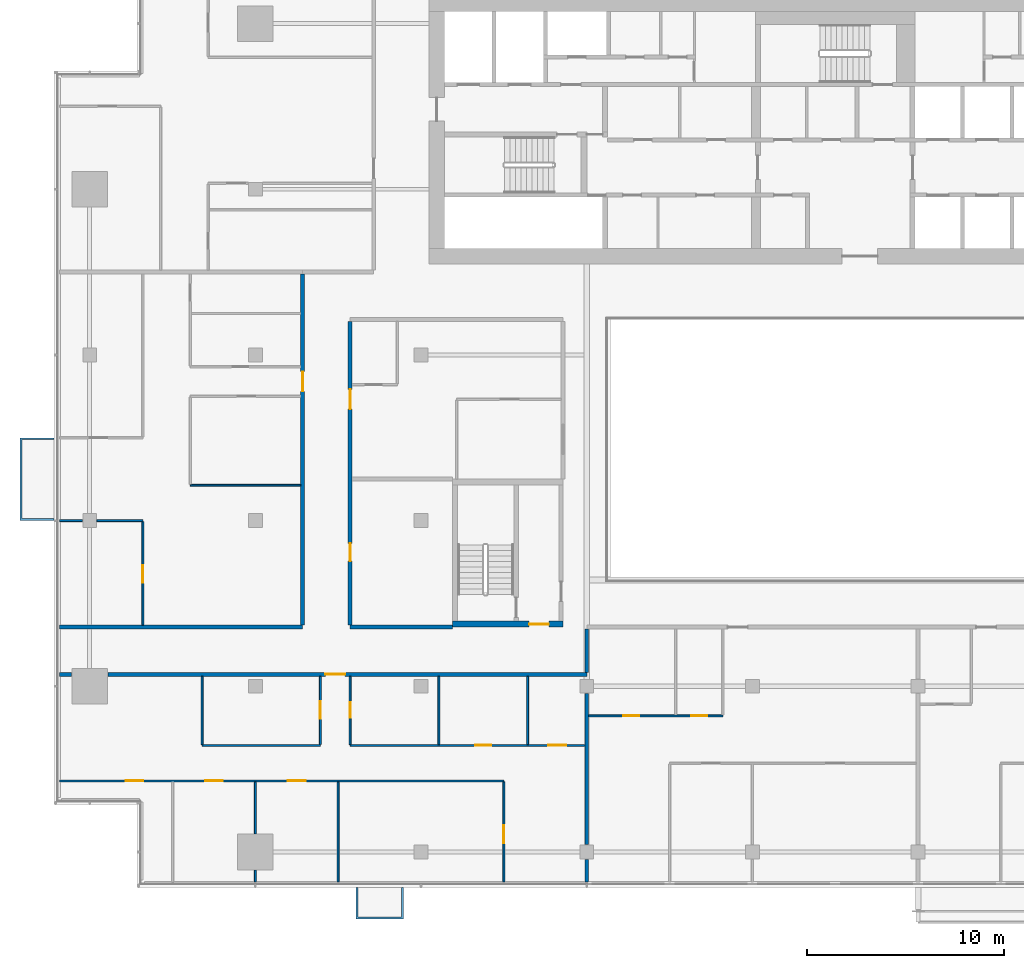
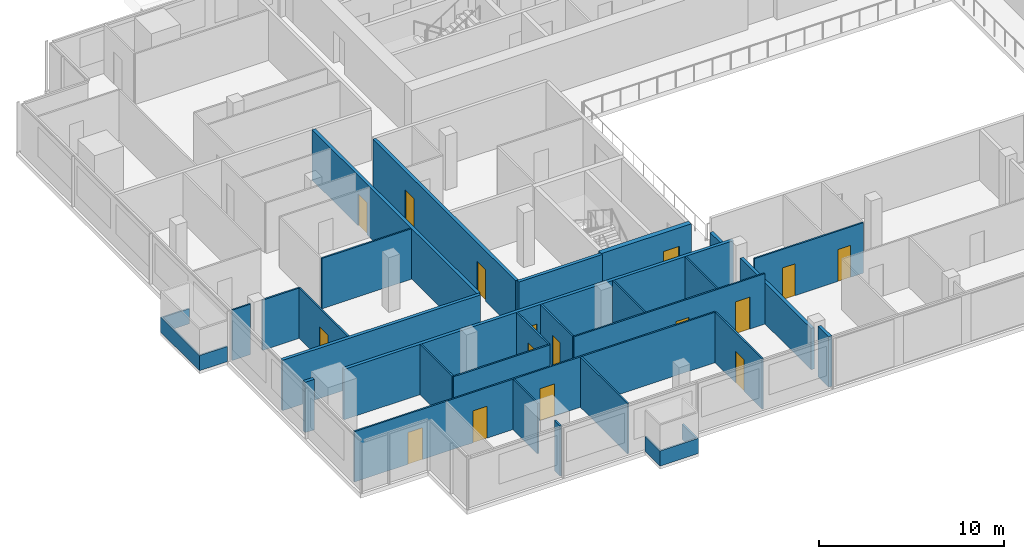
# One storey, part 17 of 28: 29 walls, 16 doors, 16 openings.
"""IFC4 building model written with IfcOpenShell, lengths in metres."""

import ifcopenshell
import ifcopenshell.guid

model = None  # the IFC model being written
_history = None  # IfcOwnerHistory: only IFC2X3 demands one
_inside = {}  # id of a spatial element -> (the spatial element, [elements in it])
_under = {}  # id of a project, library or spatial element -> (it, [spatial elements below it])
_declared = {}  # id of a project -> (the project, [libraries it declares])
_typed = {}  # id of a type object -> (the type object, [elements of that type])
_made_of = {}  # id of a material, layer set ... -> (it, [elements and type objects made of it])


def new_model(schema):
    """Start an empty IFC model of exactly this schema.

    Asked for "IFC4X3", IfcOpenShell would pick the latest addendum, in which some entities
    have other attributes; the version numbers below select the first issue.
    IFC2X3 requires an IfcOwnerHistory on every rooted entity: one is made here for all.
    """
    global model, _history
    if schema == "IFC4X3":
        model = ifcopenshell.file(schema_version=(4, 3, 0, 0))
    else:
        model = ifcopenshell.file(schema=schema)
    _inside.clear()
    _under.clear()
    _declared.clear()
    _typed.clear()
    _made_of.clear()
    _history = None
    if model.schema == "IFC2X3":
        org = make("IfcOrganization", Name="unknown")
        user = make(
            "IfcPersonAndOrganization",
            ThePerson=make("IfcPerson", FamilyName="unknown"),
            TheOrganization=org,
        )
        app = make(
            "IfcApplication",
            ApplicationDeveloper=org,
            Version="unknown",
            ApplicationFullName="unknown",
            ApplicationIdentifier="unknown",
        )
        _history = make(
            "IfcOwnerHistory",
            OwningUser=user,
            OwningApplication=app,
            ChangeAction="ADDED",
            CreationDate=0,
        )
    return model


def make(cls, **values):
    """One entity of the class cls with the attributes given. An attribute that is None is left unset."""
    return model.create_entity(
        cls, **{name: value for name, value in values.items() if value is not None}
    )


def rooted(cls, **values):
    """An entity with a GlobalId (a new one), such as an element, a storey or a relation."""
    return make(cls, GlobalId=ifcopenshell.guid.new(), OwnerHistory=_history, **values)


def si_unit(unit_type, name, prefix=None):
    """IfcSIUnit, for example si_unit("LENGTHUNIT", "METRE", prefix="MILLI")."""
    return make("IfcSIUnit", UnitType=unit_type, Prefix=prefix, Name=name)


def assignment(units):
    """IfcUnitAssignment: the units of a project."""
    return None if units is None else make("IfcUnitAssignment", Units=units)


def point(xyz):
    """IfcCartesianPoint."""
    return None if xyz is None else make("IfcCartesianPoint", Coordinates=xyz)


def direction(xyz):
    """IfcDirection."""
    return None if xyz is None else make("IfcDirection", DirectionRatios=xyz)


def frame(location, z_axis=None, x_axis=None):
    """IfcAxis2Placement3D, a coordinate frame: its origin and axes. An axis left out is left unset."""
    return make(
        "IfcAxis2Placement3D",
        Location=point(location),
        Axis=direction(z_axis),
        RefDirection=direction(x_axis),
    )


def frame_2d(location, x_axis=None):
    """IfcAxis2Placement2D, a coordinate frame in the plane: its origin and x axis."""
    return make(
        "IfcAxis2Placement2D", Location=point(location), RefDirection=direction(x_axis)
    )


def origin():
    """The frame at (0, 0, 0) with its axes left unset."""
    return frame((0.0, 0.0, 0.0))


def place(relative_to, where):
    """IfcLocalPlacement: puts the frame where relative to a parent placement (None: the world)."""
    return make(
        "IfcLocalPlacement", PlacementRelTo=relative_to, RelativePlacement=where
    )


def context(
    kind, dimensions, precision=None, world=None, true_north=None, identifier=None
):
    """IfcGeometricRepresentationContext, for example the 3D "Model" context."""
    return make(
        "IfcGeometricRepresentationContext",
        ContextIdentifier=identifier,
        ContextType=kind,
        CoordinateSpaceDimension=dimensions,
        Precision=precision,
        WorldCoordinateSystem=world,
        TrueNorth=true_north,
    )


def subcontext(parent, identifier, kind, view, scale=None):
    """IfcGeometricRepresentationSubContext, for example "Body" below "Model"."""
    return make(
        "IfcGeometricRepresentationSubContext",
        ContextIdentifier=identifier,
        ContextType=kind,
        ParentContext=parent,
        TargetScale=scale,
        TargetView=view,
    )


def project(units=None, contexts=None):
    """IfcProject with its units and contexts."""
    return rooted(
        "IfcProject",
        Name="project",
        RepresentationContexts=contexts,
        UnitsInContext=assignment(units),
    )


def spatial(cls, under=None, at=None, **own):
    """A site, building, storey or space (cls), placed at a placement, below another one or the project."""
    s = rooted(cls, ObjectPlacement=at, **own)
    if under is not None:
        _under.setdefault(under.id(), (under, []))[1].append(s)
    return s


def polyline(points):
    """IfcPolyline through the points."""
    return make("IfcPolyline", Points=[point(p) for p in points])


def profile(cls, at=None, kind="AREA", **sizes):
    """A parametric profile (cls). Its sizes go by their IFC names, for example OverallWidth=200.0."""
    return make(cls, ProfileType=kind, Position=at, **sizes)


def rectangle(**sizes):
    """IfcRectangleProfileDef."""
    return profile("IfcRectangleProfileDef", **sizes)


def outline(outer, holes=None, kind="AREA"):
    """IfcArbitraryClosedProfileDef: a profile drawn as a closed curve; with holes, ...WithVoids."""
    if holes is None:
        return make("IfcArbitraryClosedProfileDef", ProfileType=kind, OuterCurve=outer)
    return make(
        "IfcArbitraryProfileDefWithVoids",
        ProfileType=kind,
        OuterCurve=outer,
        InnerCurves=holes,
    )


def extrude(swept, where, along, depth):
    """IfcExtrudedAreaSolid: the profile swept, set in the frame where, extruded along a direction by depth."""
    return make(
        "IfcExtrudedAreaSolid",
        SweptArea=swept,
        Position=where,
        ExtrudedDirection=direction(along),
        Depth=depth,
    )


def shape(context_of_items, identifier, shape_type, items):
    """IfcShapeRepresentation: the items that make up one representation, for example the "Body"."""
    return make(
        "IfcShapeRepresentation",
        ContextOfItems=context_of_items,
        RepresentationIdentifier=identifier,
        RepresentationType=shape_type,
        Items=items,
    )


def material(Name=None, Category=None):
    """IfcMaterial."""
    return make("IfcMaterial", Name=Name, Category=Category)


def layer(
    of_material, thickness, ventilated=None, Name=None, Category=None, Priority=None
):
    """IfcMaterialLayer: one layer of a wall or slab, of a material (None: an air gap)."""
    return make(
        "IfcMaterialLayer",
        Material=of_material,
        LayerThickness=thickness,
        IsVentilated=ventilated,
        Name=Name,
        Category=Category,
        Priority=Priority,
    )


def layer_set(layers, Name=None):
    """IfcMaterialLayerSet."""
    return make("IfcMaterialLayerSet", MaterialLayers=layers, LayerSetName=Name)


def made_of(thing, what):
    """Note that an element or type object is made of a material, layer set ...; save() writes the relation."""
    if what is not None:
        _made_of.setdefault(what.id(), (what, []))[1].append(thing)
    return thing


def type_object(cls, material=None, **own):
    """A type object (cls), such as IfcWallType, which elements share."""
    return made_of(rooted(cls, **own), material)


def element(
    cls,
    number,
    at=None,
    inside=None,
    cuts=None,
    type_object=None,
    material=None,
    context=None,
    identifier="Body",
    shape_type=None,
    held_by="IfcProductDefinitionShape",
    body=None,
    shapes=None,
    **own,
):
    """One element of the class cls, such as IfcWall. Its Tag is "e" and its number.

    at: its placement. inside: the storey or other place that contains it. cuts: it is an
    opening in that element (IfcRelVoidsElement). A single representation is given by context,
    identifier, shape_type and body (its items); several are given by shapes. held_by: the class
    of the entity that holds the representations. save() writes the other relations.
    """
    e = rooted(cls, Tag="e%d" % number, ObjectPlacement=at, **own)
    if body is not None:
        shapes = [shape(context, identifier, shape_type, body)]
    if shapes is not None:
        e.Representation = make(held_by, Representations=shapes)
    if inside is not None:
        _inside.setdefault(inside.id(), (inside, []))[1].append(e)
    if cuts is not None:
        rooted(
            "IfcRelVoidsElement", RelatingBuildingElement=cuts, RelatedOpeningElement=e
        )
    if type_object is not None:
        _typed.setdefault(type_object.id(), (type_object, []))[1].append(e)
    return made_of(e, material)


def fill(opening, filler):
    """IfcRelFillsElement: the door or window that sits in an opening."""
    return rooted(
        "IfcRelFillsElement",
        RelatingOpeningElement=opening,
        RelatedBuildingElement=filler,
    )


def aggregate(whole, parts):
    """IfcRelAggregates: a whole, such as a stair, and the parts it consists of."""
    return rooted("IfcRelAggregates", RelatingObject=whole, RelatedObjects=parts)


def save(model, path):
    """Write the relations noted so far, then the file.

    IfcRelAggregates (storeys below a building ...), IfcRelContainedInSpatialStructure (elements
    in a storey), IfcRelDefinesByType, IfcRelAssociatesMaterial and IfcRelDeclares: one each for
    every whole, place, type object, material and project.
    """
    for whole, parts in _under.values():
        aggregate(whole, parts)
    for where, things in _inside.values():
        rooted(
            "IfcRelContainedInSpatialStructure",
            RelatedElements=things,
            RelatingStructure=where,
        )
    for kind, things in _typed.values():
        rooted("IfcRelDefinesByType", RelatedObjects=things, RelatingType=kind)
    for what, things in _made_of.values():
        rooted("IfcRelAssociatesMaterial", RelatedObjects=things, RelatingMaterial=what)
    for by, libraries in _declared.values():
        rooted("IfcRelDeclares", RelatingContext=by, RelatedDefinitions=libraries)
    model.write(path)


model = new_model("IFC4")

# Units and contexts
model_context = context("Model", 3, precision=1e-05, world=origin(), true_north=direction((0.0, 1.0)))
body_context = subcontext(model_context, "Body", "Model", "MODEL_VIEW")
ifc_project = project(units=[si_unit("LENGTHUNIT", "METRE"), si_unit("AREAUNIT", "SQUARE_METRE"), si_unit("VOLUMEUNIT", "CUBIC_METRE"), si_unit("PLANEANGLEUNIT", "RADIAN"), si_unit("MASSUNIT", "GRAM", prefix="KILO")], contexts=[model_context])

# Site, building, storey
site_placement = place(None, origin())
site = spatial("IfcSite", under=ifc_project, at=site_placement, CompositionType="ELEMENT")
building_placement = place(site_placement, origin())
building = spatial("IfcBuilding", under=site, at=building_placement, Name="Saffron Gate Tower", CompositionType="ELEMENT")
storey_placement = place(building_placement, frame((0.0, 0.0, 176.25)))
storey = spatial("IfcBuildingStorey", under=building, at=storey_placement, Name="L43", CompositionType="ELEMENT", Elevation=176.25)

# Wall, opening, door
ifc_material_1 = material(Name="Concrete C60", Category="concrete")
ifc_layer_1 = layer(ifc_material_1, 0.300048828125)
ifc_layer_set_1 = layer_set([ifc_layer_1], Name="CW17 RC core wall 300 C60")
wall_type_1 = type_object("IfcWallType", Name="CW17 RC core wall 300 C60", PredefinedType="SOLIDWALL", material=ifc_layer_set_1)
wall_1_placement = place(storey_placement, frame((68.199951171875, 43.35009765625, 0.0), z_axis=(0.0, 0.0, 1.0), x_axis=(1.0, 0.0, 0.0)))
wall_1 = element("IfcWall", 1, at=wall_1_placement, inside=storey, type_object=wall_type_1, Name="Wall CW17-L43-D-1", PredefinedType="SOLIDWALL", context=body_context, shape_type="SweptSolid", body=[
    extrude(rectangle(XDim=5.60009765625, YDim=0.300048828125, at=frame_2d((2.800048828125, 0.0))), origin(), (0.0, 0.0, 1.0), 3.320068359375),
])
opening_1_placement = place(wall_1_placement, frame((3.875, 0.0, 0.0)))
opening_1 = element("IfcOpeningElement", 2, at=opening_1_placement, cuts=wall_1, Name="Opening CR-18", PredefinedType="OPENING", context=body_context, shape_type="SweptSolid", body=[
    extrude(rectangle(XDim=1.0, YDim=2.10009765625, at=frame_2d((0.5, 1.050048828125))), frame((0.0, 0.16015625, 0.0), z_axis=(0.0, -1.0, 0.0), x_axis=(1.0, 0.0, 0.0)), (0.0, 0.0, 1.0), 0.320068359375),
])
ifc_material_2 = material(Name="Steel fire door set", Category="steel")
door_type_1 = type_object("IfcDoorType", Name="CD4 Lobby door 1000x2100 EI 120", OperationType="NOTDEFINED", PredefinedType="DOOR", material=ifc_material_2)
door_1_placement = place(opening_1_placement, origin())
door_1 = element("IfcDoor", 3, at=door_1_placement, inside=storey, type_object=door_type_1, Name="DOOR CR-18", OperationType="SINGLE_SWING_RIGHT", OverallHeight=2.10009765625, OverallWidth=1.0, PredefinedType="DOOR", context=body_context, shape_type="SweptSolid", body=[
    extrude(rectangle(XDim=1.0, YDim=2.10009765625, at=frame_2d((0.5, 1.050048828125))), frame((0.0, 0.02490234375, 0.0), z_axis=(0.0, -1.0, 0.0), x_axis=(1.0, 0.0, 0.0)), (0.0, 0.0, 1.0), 0.050048828125),
])
fill(opening_1, door_1)

# Wall, openings, doors
ifc_material_3 = material(Name="Plasterboard on steel studs", Category="steel")
ifc_layer_2 = layer(ifc_material_3, 0.10009765625)
ifc_layer_set_2 = layer_set([ifc_layer_2], Name="PW1 Partition 100")
wall_type_2 = type_object("IfcWallType", Name="PW1 Partition 100", PredefinedType="PARTITIONING", material=ifc_layer_set_2)
wall_2_placement = place(storey_placement, frame((70.800048828125, 35.39990234375, 0.0), z_axis=(0.0, 0.0, 1.0), x_axis=(-1.0, 0.0, 0.0)))
wall_2 = element("IfcWall", 4, at=wall_2_placement, inside=storey, type_object=wall_type_2, Name="Partition C3-2", PredefinedType="PARTITIONING", context=body_context, shape_type="SweptSolid", body=[
    extrude(rectangle(XDim=22.52001953125, YDim=0.10009765625, at=frame_2d((11.260009765625, 0.0))), origin(), (0.0, 0.0, 1.0), 3.320068359375),
])
opening_2_placement = place(wall_2_placement, frame((10.050048828125, 0.0, 0.0)))
opening_2 = element("IfcOpeningElement", 5, at=opening_2_placement, cuts=wall_2, Name="Opening C3-13", PredefinedType="OPENING", context=body_context, shape_type="SweptSolid", body=[
    extrude(rectangle(XDim=0.89990234375, YDim=2.10009765625, at=frame_2d((0.449951171875, 1.050048828125))), frame((0.0, 0.06005859375, 0.0), z_axis=(0.0, -1.0, 0.0), x_axis=(1.0, 0.0, 0.0)), (0.0, 0.0, 1.0), 0.1201171875),
])
opening_3_placement = place(wall_2_placement, frame((14.25, 0.0, 0.0)))
opening_3 = element("IfcOpeningElement", 6, at=opening_3_placement, cuts=wall_2, Name="Opening C3-12", PredefinedType="OPENING", context=body_context, shape_type="SweptSolid", body=[
    extrude(rectangle(XDim=0.89990234375, YDim=2.10009765625, at=frame_2d((0.449951171875, 1.050048828125))), frame((0.0, 0.06005859375, 0.0), z_axis=(0.0, -1.0, 0.0), x_axis=(1.0, 0.0, 0.0)), (0.0, 0.0, 1.0), 0.1201171875),
])
opening_4_placement = place(wall_2_placement, frame((18.2744140625, 0.0, 0.0)))
opening_4 = element("IfcOpeningElement", 7, at=opening_4_placement, cuts=wall_2, Name="Opening C3-11", PredefinedType="OPENING", context=body_context, shape_type="SweptSolid", body=[
    extrude(rectangle(XDim=0.89990234375, YDim=2.10009765625, at=frame_2d((0.449951171875, 1.050048828125))), frame((0.0, 0.06005859375, 0.0), z_axis=(0.0, -1.0, 0.0), x_axis=(1.0, 0.0, 0.0)), (0.0, 0.0, 1.0), 0.1201171875),
])
ifc_material_4 = material(Name="Timber door set", Category="wood")
door_type_2 = type_object("IfcDoorType", Name="RD1 Room door 900x2100", OperationType="NOTDEFINED", PredefinedType="DOOR", material=ifc_material_4)
door_2_placement = place(opening_2_placement, origin())
door_2 = element("IfcDoor", 8, at=door_2_placement, inside=storey, type_object=door_type_2, Name="Door C3-13", OperationType="SINGLE_SWING_RIGHT", OverallHeight=2.10009765625, OverallWidth=0.89990234375, PredefinedType="DOOR", context=body_context, shape_type="SweptSolid", body=[
    extrude(rectangle(XDim=0.89990234375, YDim=2.10009765625, at=frame_2d((0.449951171875, 1.050048828125))), frame((0.0, 0.02490234375, 0.0), z_axis=(0.0, -1.0, 0.0), x_axis=(1.0, 0.0, 0.0)), (0.0, 0.0, 1.0), 0.050048828125),
])
fill(opening_2, door_2)
door_3_placement = place(opening_3_placement, origin())
door_3 = element("IfcDoor", 9, at=door_3_placement, inside=storey, type_object=door_type_2, Name="Door C3-12", OperationType="SINGLE_SWING_RIGHT", OverallHeight=2.10009765625, OverallWidth=0.89990234375, PredefinedType="DOOR", context=body_context, shape_type="SweptSolid", body=[
    extrude(rectangle(XDim=0.89990234375, YDim=2.10009765625, at=frame_2d((0.449951171875, 1.050048828125))), frame((0.0, 0.02490234375, 0.0), z_axis=(0.0, -1.0, 0.0), x_axis=(1.0, 0.0, 0.0)), (0.0, 0.0, 1.0), 0.050048828125),
])
fill(opening_3, door_3)
door_4_placement = place(opening_4_placement, origin())
door_4 = element("IfcDoor", 10, at=door_4_placement, inside=storey, type_object=door_type_2, Name="Door C3-11", OperationType="SINGLE_SWING_LEFT", OverallHeight=2.10009765625, OverallWidth=0.89990234375, PredefinedType="DOOR", context=body_context, shape_type="SweptSolid", body=[
    extrude(rectangle(XDim=0.89990234375, YDim=2.10009765625, at=frame_2d((0.449951171875, 1.050048828125))), frame((0.0, 0.02490234375, 0.0), z_axis=(0.0, -1.0, 0.0), x_axis=(1.0, 0.0, 0.0)), (0.0, 0.0, 1.0), 0.050048828125),
])
fill(opening_4, door_4)

# Wall
wall_3_placement = place(storey_placement, frame((55.5, 37.199951171875, 0.0), z_axis=(0.0, 0.0, 1.0), x_axis=(1.0, 0.0, 0.0)))
element("IfcWall", 11, at=wall_3_placement, inside=storey, type_object=wall_type_2, Name="Partition C3-5", PredefinedType="PARTITIONING", context=body_context, shape_type="SweptSolid", body=[
    extrude(rectangle(XDim=6.0, YDim=0.10009765625, at=frame_2d((3.0, 0.0))), origin(), (0.0, 0.0, 1.0), 3.320068359375),
])

# Wall, openings, doors
wall_4_placement = place(storey_placement, frame((63.0, 37.199951171875, 0.0), z_axis=(0.0, 0.0, 1.0), x_axis=(1.0, 0.0, 0.0)))
wall_4 = element("IfcWall", 12, at=wall_4_placement, inside=storey, type_object=wall_type_2, Name="Partition C3-6", PredefinedType="PARTITIONING", context=body_context, shape_type="SweptSolid", body=[
    extrude(rectangle(XDim=11.89990234375, YDim=0.10009765625, at=frame_2d((5.949951171875, 0.0))), origin(), (0.0, 0.0, 1.0), 3.320068359375),
])
opening_5_placement = place(wall_4_placement, frame((6.35009765625, 0.0, 0.0)))
opening_5 = element("IfcOpeningElement", 13, at=opening_5_placement, cuts=wall_4, Name="Opening C3-41", PredefinedType="OPENING", context=body_context, shape_type="SweptSolid", body=[
    extrude(rectangle(XDim=0.800048828125, YDim=2.10009765625, at=frame_2d((0.39990234375, 1.050048828125))), frame((0.0, 0.06005859375, 0.0), z_axis=(0.0, -1.0, 0.0), x_axis=(1.0, 0.0, 0.0)), (0.0, 0.0, 1.0), 0.1201171875),
])
opening_6_placement = place(wall_4_placement, frame((10.050048828125, 0.0, 0.0)))
opening_6 = element("IfcOpeningElement", 14, at=opening_6_placement, cuts=wall_4, Name="Opening C3-16", PredefinedType="OPENING", context=body_context, shape_type="SweptSolid", body=[
    extrude(rectangle(XDim=0.89990234375, YDim=2.10009765625, at=frame_2d((0.449951171875, 1.050048828125))), frame((0.0, 0.06005859375, 0.0), z_axis=(0.0, -1.0, 0.0), x_axis=(1.0, 0.0, 0.0)), (0.0, 0.0, 1.0), 0.1201171875),
])
door_5_placement = place(opening_6_placement, origin())
door_5 = element("IfcDoor", 15, at=door_5_placement, inside=storey, type_object=door_type_2, Name="Door C3-16", OperationType="SINGLE_SWING_RIGHT", OverallHeight=2.10009765625, OverallWidth=0.89990234375, PredefinedType="DOOR", context=body_context, shape_type="SweptSolid", body=[
    extrude(rectangle(XDim=0.89990234375, YDim=2.10009765625, at=frame_2d((0.449951171875, 1.050048828125))), frame((0.0, 0.02490234375, 0.0), z_axis=(0.0, -1.0, 0.0), x_axis=(1.0, 0.0, 0.0)), (0.0, 0.0, 1.0), 0.050048828125),
])
fill(opening_6, door_5)
door_type_3 = type_object("IfcDoorType", Name="RD2 Bathroom door 800x2100", OperationType="NOTDEFINED", PredefinedType="DOOR", material=ifc_material_4)
door_6_placement = place(opening_5_placement, origin())
door_6 = element("IfcDoor", 16, at=door_6_placement, inside=storey, type_object=door_type_3, Name="Door C3-41", OperationType="SINGLE_SWING_LEFT", OverallHeight=2.10009765625, OverallWidth=0.800048828125, PredefinedType="DOOR", context=body_context, shape_type="SweptSolid", body=[
    extrude(rectangle(XDim=0.800048828125, YDim=2.10009765625, at=frame_2d((0.39990234375, 1.050048828125))), frame((0.0, 0.02490234375, 0.0), z_axis=(0.0, -1.0, 0.0), x_axis=(1.0, 0.0, 0.0)), (0.0, 0.0, 1.0), 0.050048828125),
])
fill(opening_5, door_6)

wall_5_placement = place(storey_placement, frame((75.10009765625, 38.699951171875, 0.0), z_axis=(0.0, 0.0, 1.0), x_axis=(1.0, 0.0, 0.0)))
wall_5 = element("IfcWall", 17, at=wall_5_placement, inside=storey, type_object=wall_type_2, Name="Partition C3-7", PredefinedType="PARTITIONING", context=body_context, shape_type="SweptSolid", body=[
    extrude(rectangle(XDim=6.7998046875, YDim=0.10009765625, at=frame_2d((3.39990234375, 0.0))), origin(), (0.0, 0.0, 1.0), 3.320068359375),
])
opening_7_placement = place(wall_5_placement, frame((1.75, 0.0, 0.0)))
opening_7 = element("IfcOpeningElement", 18, at=opening_7_placement, cuts=wall_5, Name="Opening C3-42", PredefinedType="OPENING", context=body_context, shape_type="SweptSolid", body=[
    extrude(rectangle(XDim=0.800048828125, YDim=2.10009765625, at=frame_2d((0.39990234375, 1.050048828125))), frame((0.0, 0.06005859375, 0.0), z_axis=(0.0, -1.0, 0.0), x_axis=(1.0, 0.0, 0.0)), (0.0, 0.0, 1.0), 0.1201171875),
])
opening_8_placement = place(wall_5_placement, frame((5.199951171875, 0.0, 0.0)))
opening_8 = element("IfcOpeningElement", 19, at=opening_8_placement, cuts=wall_5, Name="Opening C3-43", PredefinedType="OPENING", context=body_context, shape_type="SweptSolid", body=[
    extrude(rectangle(XDim=0.800048828125, YDim=2.10009765625, at=frame_2d((0.39990234375, 1.050048828125))), frame((0.0, 0.06005859375, 0.0), z_axis=(0.0, -1.0, 0.0), x_axis=(1.0, 0.0, 0.0)), (0.0, 0.0, 1.0), 0.1201171875),
])
door_7_placement = place(opening_7_placement, origin())
door_7 = element("IfcDoor", 20, at=door_7_placement, inside=storey, type_object=door_type_3, Name="Door C3-42", OperationType="SINGLE_SWING_LEFT", OverallHeight=2.10009765625, OverallWidth=0.800048828125, PredefinedType="DOOR", context=body_context, shape_type="SweptSolid", body=[
    extrude(rectangle(XDim=0.800048828125, YDim=2.10009765625, at=frame_2d((0.39990234375, 1.050048828125))), frame((0.0, 0.02490234375, 0.0), z_axis=(0.0, -1.0, 0.0), x_axis=(1.0, 0.0, 0.0)), (0.0, 0.0, 1.0), 0.050048828125),
])
fill(opening_7, door_7)
door_8_placement = place(opening_8_placement, origin())
door_8 = element("IfcDoor", 21, at=door_8_placement, inside=storey, type_object=door_type_3, Name="Door C3-43", OperationType="SINGLE_SWING_RIGHT", OverallHeight=2.10009765625, OverallWidth=0.800048828125, PredefinedType="DOOR", context=body_context, shape_type="SweptSolid", body=[
    extrude(rectangle(XDim=0.800048828125, YDim=2.10009765625, at=frame_2d((0.39990234375, 1.050048828125))), frame((0.0, 0.02490234375, 0.0), z_axis=(0.0, -1.0, 0.0), x_axis=(1.0, 0.0, 0.0)), (0.0, 0.0, 1.0), 0.050048828125),
])
fill(opening_8, door_8)

# Walls
wall_6_placement = place(storey_placement, frame((48.280029296875, 48.60009765625, 0.0), z_axis=(0.0, 0.0, 1.0), x_axis=(1.0, 0.0, 0.0)))
element("IfcWall", 22, at=wall_6_placement, inside=storey, type_object=wall_type_2, Name="Partition C3-21", PredefinedType="PARTITIONING", context=body_context, shape_type="SweptSolid", body=[
    extrude(rectangle(XDim=1.14990234375, YDim=0.10009765625, at=frame_2d((0.574951171875, 0.0))), origin(), (0.0, 0.0, 1.0), 3.320068359375),
])
wall_7_placement = place(storey_placement, frame((50.169921875, 48.60009765625, 0.0), z_axis=(0.0, 0.0, 1.0), x_axis=(1.0, 0.0, 0.0)))
element("IfcWall", 23, at=wall_7_placement, inside=storey, type_object=wall_type_2, Name="Partition C3-22", PredefinedType="PARTITIONING", context=body_context, shape_type="SweptSolid", body=[
    extrude(rectangle(XDim=2.330078125, YDim=0.10009765625, at=frame_2d((1.1650390625, 0.0))), origin(), (0.0, 0.0, 1.0), 3.320068359375),
])
wall_8_placement = place(storey_placement, frame((54.89990234375, 50.39306640625, 0.0), z_axis=(0.0, 0.0, 1.0), x_axis=(1.0, 0.0, 0.0)))
element("IfcWall", 24, at=wall_8_placement, inside=storey, type_object=wall_type_2, Name="Partition C3-25", PredefinedType="PARTITIONING", context=body_context, shape_type="SweptSolid", body=[
    extrude(rectangle(XDim=5.60009765625, YDim=0.10009765625, at=frame_2d((2.800048828125, 0.0))), origin(), (0.0, 0.0, 1.0), 3.320068359375),
])

# Wall, opening, door
wall_9_placement = place(storey_placement, frame((52.5, 43.300048828125, 0.0), z_axis=(0.0, 0.0, 1.0), x_axis=(0.0, 1.0, 0.0)))
wall_9 = element("IfcWall", 25, at=wall_9_placement, inside=storey, type_object=wall_type_2, Name="Partition C3-57", PredefinedType="PARTITIONING", context=body_context, shape_type="SweptSolid", body=[
    extrude(rectangle(XDim=5.25, YDim=0.10009765625, at=frame_2d((2.625, 0.0))), origin(), (0.0, 0.0, 1.0), 3.320068359375),
])
opening_9_placement = place(wall_9_placement, frame((2.14990234375, 0.0, 0.0)))
opening_9 = element("IfcOpeningElement", 26, at=opening_9_placement, cuts=wall_9, Name="Opening C3-26", PredefinedType="OPENING", context=body_context, shape_type="SweptSolid", body=[
    extrude(rectangle(XDim=0.89990234375, YDim=2.10009765625, at=frame_2d((0.449951171875, 1.050048828125))), frame((0.0, 0.06005859375, 0.0), z_axis=(0.0, -1.0, 0.0), x_axis=(1.0, 0.0, 0.0)), (0.0, 0.0, 1.0), 0.1201171875),
])
door_9_placement = place(opening_9_placement, origin())
door_9 = element("IfcDoor", 27, at=door_9_placement, inside=storey, type_object=door_type_2, Name="Door C3-26", OperationType="SINGLE_SWING_LEFT", OverallHeight=2.10009765625, OverallWidth=0.89990234375, PredefinedType="DOOR", context=body_context, shape_type="SweptSolid", body=[
    extrude(rectangle(XDim=0.89990234375, YDim=2.10009765625, at=frame_2d((0.449951171875, 1.050048828125))), frame((0.0, 0.02490234375, 0.0), z_axis=(0.0, -1.0, 0.0), x_axis=(1.0, 0.0, 0.0)), (0.0, 0.0, 1.0), 0.050048828125),
])
fill(opening_9, door_9)

# Walls
wall_10_placement = place(storey_placement, frame((55.5, 40.699951171875, 0.0), z_axis=(0.0, 0.0, 1.0), x_axis=(0.0, -1.0, 0.0)))
element("IfcWall", 28, at=wall_10_placement, inside=storey, type_object=wall_type_2, Name="Partition C3-63", PredefinedType="PARTITIONING", context=body_context, shape_type="SweptSolid", body=[
    extrude(rectangle(XDim=3.449951171875, YDim=0.10009765625, at=frame_2d((1.72509765625, 0.0))), origin(), (0.0, 0.0, 1.0), 3.320068359375),
])
wall_11_placement = place(storey_placement, frame((58.199951171875, 30.8798828125, 0.0), z_axis=(0.0, 0.0, 1.0), x_axis=(0.0, -1.0, 0.0)))
element("IfcWall", 29, at=wall_11_placement, inside=storey, type_object=wall_type_2, Name="Partition C3-66", PredefinedType="PARTITIONING", context=body_context, shape_type="SweptSolid", body=[
    extrude(rectangle(XDim=0.599853515625, YDim=0.10009765625, at=frame_2d((0.2998046875, 0.0))), origin(), (0.0, 0.0, 1.0), 3.320068359375),
])
wall_12_placement = place(storey_placement, frame((58.199951171875, 35.35009765625, 0.0), z_axis=(0.0, 0.0, 1.0), x_axis=(0.0, -1.0, 0.0)))
element("IfcWall", 30, at=wall_12_placement, inside=storey, type_object=wall_type_2, Name="Partition C3-67", PredefinedType="PARTITIONING", context=body_context, shape_type="SweptSolid", body=[
    extrude(rectangle(XDim=2.630126953125, YDim=0.10009765625, at=frame_2d((1.31494140625, 0.0))), origin(), (0.0, 0.0, 1.0), 3.320068359375),
])

# Wall, opening, door
wall_13_placement = place(storey_placement, frame((61.5, 37.25, 0.0), z_axis=(0.0, 0.0, 1.0), x_axis=(0.0, 1.0, 0.0)))
wall_13 = element("IfcWall", 31, at=wall_13_placement, inside=storey, type_object=wall_type_2, Name="Partition C3-69", PredefinedType="PARTITIONING", context=body_context, shape_type="SweptSolid", body=[
    extrude(rectangle(XDim=3.449951171875, YDim=0.10009765625, at=frame_2d((1.72509765625, 0.0))), origin(), (0.0, 0.0, 1.0), 3.320068359375),
])
opening_10_placement = place(wall_13_placement, frame((1.300048828125, 0.0, 0.0)))
opening_10 = element("IfcOpeningElement", 32, at=opening_10_placement, cuts=wall_13, Name="Opening C3-15", PredefinedType="OPENING", context=body_context, shape_type="SweptSolid", body=[
    extrude(rectangle(XDim=0.89990234375, YDim=2.10009765625, at=frame_2d((0.449951171875, 1.050048828125))), frame((0.0, 0.06005859375, 0.0), z_axis=(0.0, -1.0, 0.0), x_axis=(1.0, 0.0, 0.0)), (0.0, 0.0, 1.0), 0.1201171875),
])
door_10_placement = place(opening_10_placement, origin())
door_10 = element("IfcDoor", 33, at=door_10_placement, inside=storey, type_object=door_type_2, Name="Door C3-15", OperationType="SINGLE_SWING_RIGHT", OverallHeight=2.10009765625, OverallWidth=0.89990234375, PredefinedType="DOOR", context=body_context, shape_type="SweptSolid", body=[
    extrude(rectangle(XDim=0.89990234375, YDim=2.10009765625, at=frame_2d((0.449951171875, 1.050048828125))), frame((0.0, 0.02490234375, 0.0), z_axis=(0.0, -1.0, 0.0), x_axis=(1.0, 0.0, 0.0)), (0.0, 0.0, 1.0), 0.050048828125),
])
fill(opening_10, door_10)

# Wall
wall_14_placement = place(storey_placement, frame((62.39990234375, 35.35009765625, 0.0), z_axis=(0.0, 0.0, 1.0), x_axis=(0.0, -1.0, 0.0)))
element("IfcWall", 34, at=wall_14_placement, inside=storey, type_object=wall_type_2, Name="Partition C3-70", PredefinedType="PARTITIONING", context=body_context, shape_type="SweptSolid", body=[
    extrude(rectangle(XDim=5.070068359375, YDim=0.10009765625, at=frame_2d((2.53515625, 0.0))), origin(), (0.0, 0.0, 1.0), 3.320068359375),
])

# Wall, opening, door
wall_15_placement = place(storey_placement, frame((63.0, 40.699951171875, 0.0), z_axis=(0.0, 0.0, 1.0), x_axis=(0.0, -1.0, 0.0)))
wall_15 = element("IfcWall", 35, at=wall_15_placement, inside=storey, type_object=wall_type_2, Name="Partition C3-72", PredefinedType="PARTITIONING", context=body_context, shape_type="SweptSolid", body=[
    extrude(rectangle(XDim=3.449951171875, YDim=0.10009765625, at=frame_2d((1.72509765625, 0.0))), origin(), (0.0, 0.0, 1.0), 3.320068359375),
])
opening_11_placement = place(wall_15_placement, frame((1.300048828125, 0.0, 0.0)))
opening_11 = element("IfcOpeningElement", 36, at=opening_11_placement, cuts=wall_15, Name="Opening C3-40", PredefinedType="OPENING", context=body_context, shape_type="SweptSolid", body=[
    extrude(rectangle(XDim=0.800048828125, YDim=2.10009765625, at=frame_2d((0.39990234375, 1.050048828125))), frame((0.0, 0.06005859375, 0.0), z_axis=(0.0, -1.0, 0.0), x_axis=(1.0, 0.0, 0.0)), (0.0, 0.0, 1.0), 0.1201171875),
])
door_11_placement = place(opening_11_placement, origin())
door_11 = element("IfcDoor", 37, at=door_11_placement, inside=storey, type_object=door_type_3, Name="Door C3-40", OperationType="SINGLE_SWING_LEFT", OverallHeight=2.10009765625, OverallWidth=0.800048828125, PredefinedType="DOOR", context=body_context, shape_type="SweptSolid", body=[
    extrude(rectangle(XDim=0.800048828125, YDim=2.10009765625, at=frame_2d((0.39990234375, 1.050048828125))), frame((0.0, 0.02490234375, 0.0), z_axis=(0.0, -1.0, 0.0), x_axis=(1.0, 0.0, 0.0)), (0.0, 0.0, 1.0), 0.050048828125),
])
fill(opening_11, door_11)

# Wall
wall_16_placement = place(storey_placement, frame((67.5, 40.699951171875, 0.0), z_axis=(0.0, 0.0, 1.0), x_axis=(0.0, -1.0, 0.0)))
element("IfcWall", 38, at=wall_16_placement, inside=storey, type_object=wall_type_2, Name="Partition C3-75", PredefinedType="PARTITIONING", context=body_context, shape_type="SweptSolid", body=[
    extrude(rectangle(XDim=3.449951171875, YDim=0.10009765625, at=frame_2d((1.72509765625, 0.0))), origin(), (0.0, 0.0, 1.0), 3.320068359375),
])

# Wall, opening, door
wall_17_placement = place(storey_placement, frame((70.800048828125, 30.280029296875, 0.0), z_axis=(0.0, 0.0, 1.0), x_axis=(0.0, 1.0, 0.0)))
wall_17 = element("IfcWall", 39, at=wall_17_placement, inside=storey, type_object=wall_type_2, Name="Partition C3-77", PredefinedType="PARTITIONING", context=body_context, shape_type="SweptSolid", body=[
    extrude(rectangle(XDim=5.070068359375, YDim=0.10009765625, at=frame_2d((2.53515625, 0.0))), origin(), (0.0, 0.0, 1.0), 3.320068359375),
])
opening_12_placement = place(wall_17_placement, frame((1.969970703125, 0.0, 0.0)))
opening_12 = element("IfcOpeningElement", 40, at=opening_12_placement, cuts=wall_17, Name="Opening C3-14", PredefinedType="OPENING", context=body_context, shape_type="SweptSolid", body=[
    extrude(rectangle(XDim=0.89990234375, YDim=2.10009765625, at=frame_2d((0.449951171875, 1.050048828125))), frame((0.0, 0.06005859375, 0.0), z_axis=(0.0, -1.0, 0.0), x_axis=(1.0, 0.0, 0.0)), (0.0, 0.0, 1.0), 0.1201171875),
])
door_12_placement = place(opening_12_placement, origin())
door_12 = element("IfcDoor", 41, at=door_12_placement, inside=storey, type_object=door_type_2, Name="Door C3-14", OperationType="SINGLE_SWING_LEFT", OverallHeight=2.10009765625, OverallWidth=0.89990234375, PredefinedType="DOOR", context=body_context, shape_type="SweptSolid", body=[
    extrude(rectangle(XDim=0.89990234375, YDim=2.10009765625, at=frame_2d((0.449951171875, 1.050048828125))), frame((0.0, 0.02490234375, 0.0), z_axis=(0.0, -1.0, 0.0), x_axis=(1.0, 0.0, 0.0)), (0.0, 0.0, 1.0), 0.050048828125),
])
fill(opening_12, door_12)

# Walls
wall_18_placement = place(storey_placement, frame((72.0, 40.699951171875, 0.0), z_axis=(0.0, 0.0, 1.0), x_axis=(0.0, -1.0, 0.0)))
element("IfcWall", 42, at=wall_18_placement, inside=storey, type_object=wall_type_2, Name="Partition C3-78", PredefinedType="PARTITIONING", context=body_context, shape_type="SweptSolid", body=[
    extrude(rectangle(XDim=3.449951171875, YDim=0.10009765625, at=frame_2d((1.72509765625, 0.0))), origin(), (0.0, 0.0, 1.0), 3.320068359375),
])
ifc_material_5 = material(Name="Clay brick masonry, rendered", Category="masonry")
ifc_layer_3 = layer(ifc_material_5, 0.199951171875)
ifc_layer_set_3 = layer_set([ifc_layer_3], Name="PW2 Demising wall 200")
wall_type_3 = type_object("IfcWallType", Name="PW2 Demising wall 200", PredefinedType="PARTITIONING", material=ifc_layer_set_3)
wall_19_placement = place(storey_placement, frame((75.0, 31.429931640625, 0.0), z_axis=(0.0, 0.0, 1.0), x_axis=(0.0, -1.0, 0.0)))
element("IfcWall", 43, at=wall_19_placement, inside=storey, type_object=wall_type_3, Name="Wall C3-81", PredefinedType="PARTITIONING", context=body_context, shape_type="SweptSolid", body=[
    extrude(rectangle(XDim=1.14990234375, YDim=0.199951171875, at=frame_2d((0.574951171875, 0.0))), origin(), (0.0, 0.0, 1.0), 3.320068359375),
])
wall_20_placement = place(storey_placement, frame((75.0, 39.830078125, 0.0), z_axis=(0.0, 0.0, 1.0), x_axis=(0.0, -1.0, 0.0)))
element("IfcWall", 44, at=wall_20_placement, inside=storey, type_object=wall_type_3, Name="Wall C3-82", PredefinedType="PARTITIONING", context=body_context, shape_type="SweptSolid", body=[
    extrude(rectangle(XDim=7.66015625, YDim=0.199951171875, at=frame_2d((3.830078125, 0.0))), origin(), (0.0, 0.0, 1.0), 2.719970703125),
])
ifc_layer_4 = layer(ifc_material_5, 0.199951171875)
ifc_layer_set_4 = layer_set([ifc_layer_4], Name="PW3 Corridor wall 200")
wall_type_4 = type_object("IfcWallType", Name="PW3 Corridor wall 200", PredefinedType="PARTITIONING", material=ifc_layer_set_4)
wall_21_placement = place(storey_placement, frame((48.280029296875, 40.800048828125, 0.0), z_axis=(0.0, 0.0, 1.0), x_axis=(1.0, 0.0, 0.0)))
element("IfcWall", 45, at=wall_21_placement, inside=storey, type_object=wall_type_4, Name="Wall C3-9", PredefinedType="PARTITIONING", context=body_context, shape_type="SweptSolid", body=[
    extrude(rectangle(XDim=0.599853515625, YDim=0.199951171875, at=frame_2d((0.2998046875, 0.0))), origin(), (0.0, 0.0, 1.0), 3.320068359375),
])

# Wall, opening, door
wall_22_placement = place(storey_placement, frame((75.0, 40.800048828125, 0.0), z_axis=(0.0, 0.0, 1.0), x_axis=(-1.0, 0.0, 0.0)))
wall_22 = element("IfcWall", 46, at=wall_22_placement, inside=storey, type_object=wall_type_4, Name="Wall C3-10", PredefinedType="PARTITIONING", context=body_context, shape_type="SweptSolid", body=[
    extrude(rectangle(XDim=24.280029296875, YDim=0.199951171875, at=frame_2d((12.14013671875, 0.0))), origin(), (0.0, 0.0, 1.0), 3.320068359375),
])
opening_13_placement = place(wall_22_placement, frame((12.25, 0.0, 0.0)))
opening_13 = element("IfcOpeningElement", 47, at=opening_13_placement, cuts=wall_22, Name="Opening C3-1", PredefinedType="OPENING", context=body_context, shape_type="SweptSolid", body=[
    extrude(rectangle(XDim=1.0, YDim=2.10009765625, at=frame_2d((0.5, 1.050048828125))), frame((0.0, 0.10986328125, 0.0), z_axis=(0.0, -1.0, 0.0), x_axis=(1.0, 0.0, 0.0)), (0.0, 0.0, 1.0), 0.219970703125),
])
ifc_material_6 = material(Name="Timber fire door set", Category="wood")
door_type_4 = type_object("IfcDoorType", Name="FD1 Flat entry door 1000x2100", OperationType="NOTDEFINED", PredefinedType="DOOR", material=ifc_material_6)
door_13_placement = place(opening_13_placement, origin())
door_13 = element("IfcDoor", 48, at=door_13_placement, inside=storey, type_object=door_type_4, Name="Door C3-1", OperationType="SINGLE_SWING_LEFT", OverallHeight=2.10009765625, OverallWidth=1.0, PredefinedType="DOOR", context=body_context, shape_type="SweptSolid", body=[
    extrude(rectangle(XDim=1.0, YDim=2.10009765625, at=frame_2d((0.5, 1.050048828125))), frame((0.0, 0.02490234375, 0.0), z_axis=(0.0, -1.0, 0.0), x_axis=(1.0, 0.0, 0.0)), (0.0, 0.0, 1.0), 0.050048828125),
])
fill(opening_13, door_13)

# Walls
wall_23_placement = place(storey_placement, frame((48.280029296875, 43.199951171875, 0.0), z_axis=(0.0, 0.0, 1.0), x_axis=(1.0, 0.0, 0.0)))
element("IfcWall", 49, at=wall_23_placement, inside=storey, type_object=wall_type_4, Name="Wall C3-13", PredefinedType="PARTITIONING", context=body_context, shape_type="SweptSolid", body=[
    extrude(rectangle(XDim=12.320068359375, YDim=0.199951171875, at=frame_2d((6.16015625, 0.0))), origin(), (0.0, 0.0, 1.0), 3.320068359375),
])
wall_24_placement = place(storey_placement, frame((63.0, 43.199951171875, 0.0), z_axis=(0.0, 0.0, 1.0), x_axis=(1.0, 0.0, 0.0)))
element("IfcWall", 50, at=wall_24_placement, inside=storey, type_object=wall_type_4, Name="Wall C3-14", PredefinedType="PARTITIONING", context=body_context, shape_type="SweptSolid", body=[
    extrude(rectangle(XDim=5.199951171875, YDim=0.199951171875, at=frame_2d((2.60009765625, 0.0))), origin(), (0.0, 0.0, 1.0), 3.320068359375),
])

# Wall, opening, door
wall_25_placement = place(storey_placement, frame((60.60009765625, 43.300048828125, 0.0), z_axis=(0.0, 0.0, 1.0), x_axis=(0.0, 1.0, 0.0)))
wall_25 = element("IfcWall", 51, at=wall_25_placement, inside=storey, type_object=wall_type_4, Name="Wall C3-68", PredefinedType="PARTITIONING", context=body_context, shape_type="SweptSolid", body=[
    extrude(rectangle(XDim=17.800048828125, YDim=0.199951171875, at=frame_2d((8.89990234375, 0.0))), origin(), (0.0, 0.0, 1.0), 3.320068359375),
])
opening_14_placement = place(wall_25_placement, frame((11.85009765625, 0.0, 0.0)))
opening_14 = element("IfcOpeningElement", 52, at=opening_14_placement, cuts=wall_25, Name="Opening C3-5", PredefinedType="OPENING", context=body_context, shape_type="SweptSolid", body=[
    extrude(rectangle(XDim=1.0, YDim=2.10009765625, at=frame_2d((0.5, 1.050048828125))), frame((0.0, 0.10986328125, 0.0), z_axis=(0.0, -1.0, 0.0), x_axis=(1.0, 0.0, 0.0)), (0.0, 0.0, 1.0), 0.219970703125),
])
door_14_placement = place(opening_14_placement, origin())
door_14 = element("IfcDoor", 53, at=door_14_placement, inside=storey, type_object=door_type_4, Name="Door C3-5", OperationType="SINGLE_SWING_RIGHT", OverallHeight=2.10009765625, OverallWidth=1.0, PredefinedType="DOOR", context=body_context, shape_type="SweptSolid", body=[
    extrude(rectangle(XDim=1.0, YDim=2.10009765625, at=frame_2d((0.5, 1.050048828125))), frame((0.0, 0.02490234375, 0.0), z_axis=(0.0, -1.0, 0.0), x_axis=(1.0, 0.0, 0.0)), (0.0, 0.0, 1.0), 0.050048828125),
])
fill(opening_14, door_14)

# Wall, openings, doors
wall_26_placement = place(storey_placement, frame((63.0, 58.699951171875, 0.0), z_axis=(0.0, 0.0, 1.0), x_axis=(0.0, -1.0, 0.0)))
wall_26 = element("IfcWall", 54, at=wall_26_placement, inside=storey, type_object=wall_type_4, Name="Wall C3-71", PredefinedType="PARTITIONING", context=body_context, shape_type="SweptSolid", body=[
    extrude(rectangle(XDim=15.39990234375, YDim=0.199951171875, at=frame_2d((7.699951171875, 0.0))), origin(), (0.0, 0.0, 1.0), 3.320068359375),
])
opening_15_placement = place(wall_26_placement, frame((3.449951171875, 0.0, 0.0)))
opening_15 = element("IfcOpeningElement", 55, at=opening_15_placement, cuts=wall_26, Name="Opening C3-9", PredefinedType="OPENING", context=body_context, shape_type="SweptSolid", body=[
    extrude(rectangle(XDim=1.0, YDim=2.10009765625, at=frame_2d((0.5, 1.050048828125))), frame((0.0, 0.10986328125, 0.0), z_axis=(0.0, -1.0, 0.0), x_axis=(1.0, 0.0, 0.0)), (0.0, 0.0, 1.0), 0.219970703125),
])
opening_16_placement = place(wall_26_placement, frame((11.25, 0.0, 0.0)))
opening_16 = element("IfcOpeningElement", 56, at=opening_16_placement, cuts=wall_26, Name="Opening C3-56", PredefinedType="OPENING", context=body_context, shape_type="SweptSolid", body=[
    extrude(rectangle(XDim=0.89990234375, YDim=2.10009765625, at=frame_2d((0.449951171875, 1.050048828125))), frame((0.0, 0.10986328125, 0.0), z_axis=(0.0, -1.0, 0.0), x_axis=(1.0, 0.0, 0.0)), (0.0, 0.0, 1.0), 0.219970703125),
])
door_15_placement = place(opening_15_placement, origin())
door_15 = element("IfcDoor", 57, at=door_15_placement, inside=storey, type_object=door_type_4, Name="Door C3-9", OperationType="SINGLE_SWING_LEFT", OverallHeight=2.10009765625, OverallWidth=1.0, PredefinedType="DOOR", context=body_context, shape_type="SweptSolid", body=[
    extrude(rectangle(XDim=1.0, YDim=2.10009765625, at=frame_2d((0.5, 1.050048828125))), frame((0.0, 0.02490234375, 0.0), z_axis=(0.0, -1.0, 0.0), x_axis=(1.0, 0.0, 0.0)), (0.0, 0.0, 1.0), 0.050048828125),
])
fill(opening_15, door_15)
door_type_5 = type_object("IfcDoorType", Name="SD1 Service door 900x2100", OperationType="NOTDEFINED", PredefinedType="DOOR", material=ifc_material_2)
door_16_placement = place(opening_16_placement, origin())
door_16 = element("IfcDoor", 58, at=door_16_placement, inside=storey, type_object=door_type_5, Name="Door C3-56", OperationType="SINGLE_SWING_RIGHT", OverallHeight=2.10009765625, OverallWidth=0.89990234375, PredefinedType="DOOR", context=body_context, shape_type="SweptSolid", body=[
    extrude(rectangle(XDim=0.89990234375, YDim=2.10009765625, at=frame_2d((0.449951171875, 1.050048828125))), frame((0.0, 0.02490234375, 0.0), z_axis=(0.0, -1.0, 0.0), x_axis=(1.0, 0.0, 0.0)), (0.0, 0.0, 1.0), 0.050048828125),
])
fill(opening_16, door_16)

# Walls
wall_27_placement = place(storey_placement, frame((75.0, 43.10009765625, 0.0), z_axis=(0.0, 0.0, 1.0), x_axis=(0.0, -1.0, 0.0)))
element("IfcWall", 59, at=wall_27_placement, inside=storey, type_object=wall_type_4, Name="Wall C3-80", PredefinedType="PARTITIONING", context=body_context, shape_type="SweptSolid", body=[
    extrude(rectangle(XDim=2.2001953125, YDim=0.199951171875, at=frame_2d((1.10009765625, 0.0))), origin(), (0.0, 0.0, 1.0), 2.429931640625),
])
ifc_material_7 = material(Name="Rendered insulated panel, white")
ifc_layer_5 = layer(ifc_material_7, 0.10009765625)
ifc_layer_set_5 = layer_set([ifc_layer_5], Name="WB3 box parapet white")
wall_type_5 = type_object("IfcWallType", Name="WB3 box parapet white", PredefinedType="SOLIDWALL", material=ifc_layer_set_5)
wall_28_placement = place(storey_placement, origin())
element("IfcWall", 60, at=wall_28_placement, inside=storey, type_object=wall_type_5, Name="WINDOW BOX parapet", PredefinedType="SOLIDWALL", context=body_context, shape_type="SweptSolid", body=[
    extrude(outline(polyline([(63.300048828125, 30.0), (63.39990234375, 30.0), (63.39990234375, 28.5), (65.60009765625, 28.5), (65.60009765625, 30.0), (65.699951171875, 30.0), (65.699951171875, 28.39990234375), (63.300048828125, 28.39990234375), (63.300048828125, 30.0)])), origin(), (0.0, 0.0, 1.0), 1.0),
])
wall_29_placement = place(storey_placement, origin())
element("IfcWall", 61, at=wall_29_placement, inside=storey, type_object=wall_type_5, Name="WINDOW BOX parapet", PredefinedType="SOLIDWALL", context=body_context, shape_type="SweptSolid", body=[
    extrude(outline(polyline([(48.0, 52.800048828125), (48.0, 52.699951171875), (46.366943359375, 52.699951171875), (46.366943359375, 48.699951171875), (48.0, 48.699951171875), (48.0, 48.60009765625), (46.26708984375, 48.60009765625), (46.26708984375, 52.800048828125), (48.0, 52.800048828125)])), origin(), (0.0, 0.0, 1.0), 1.0),
])

save(model, "model.ifc")
